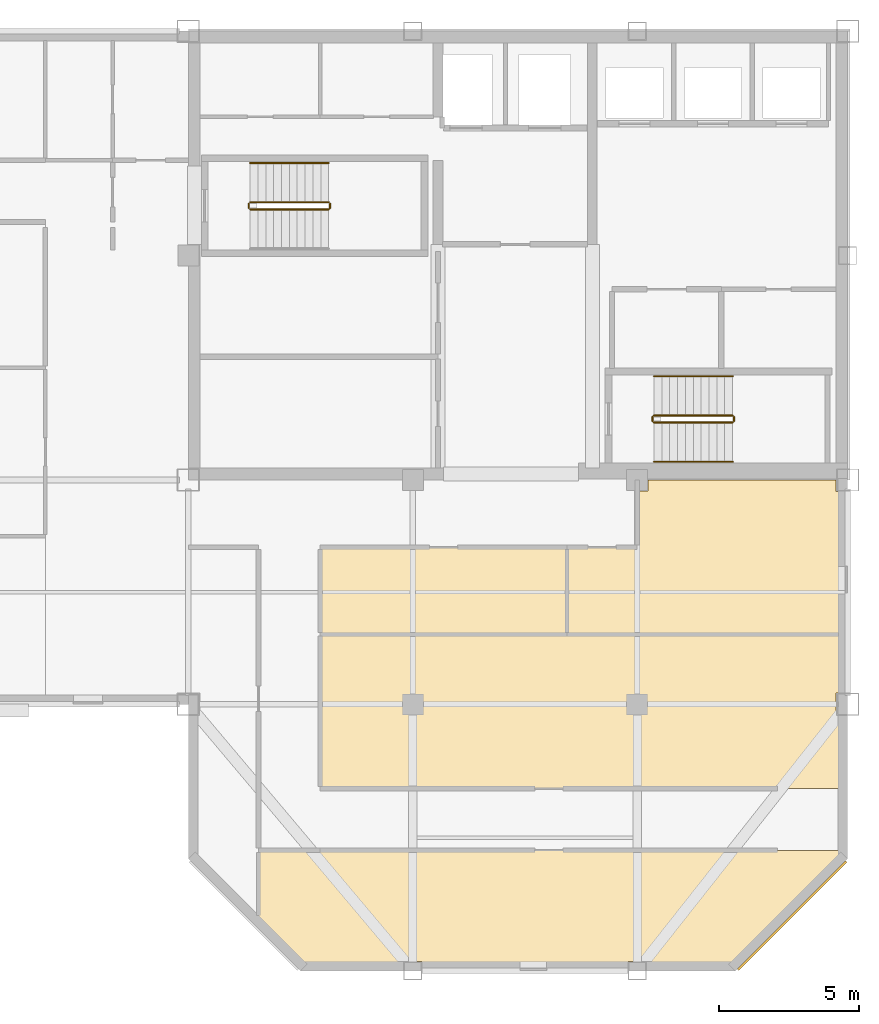
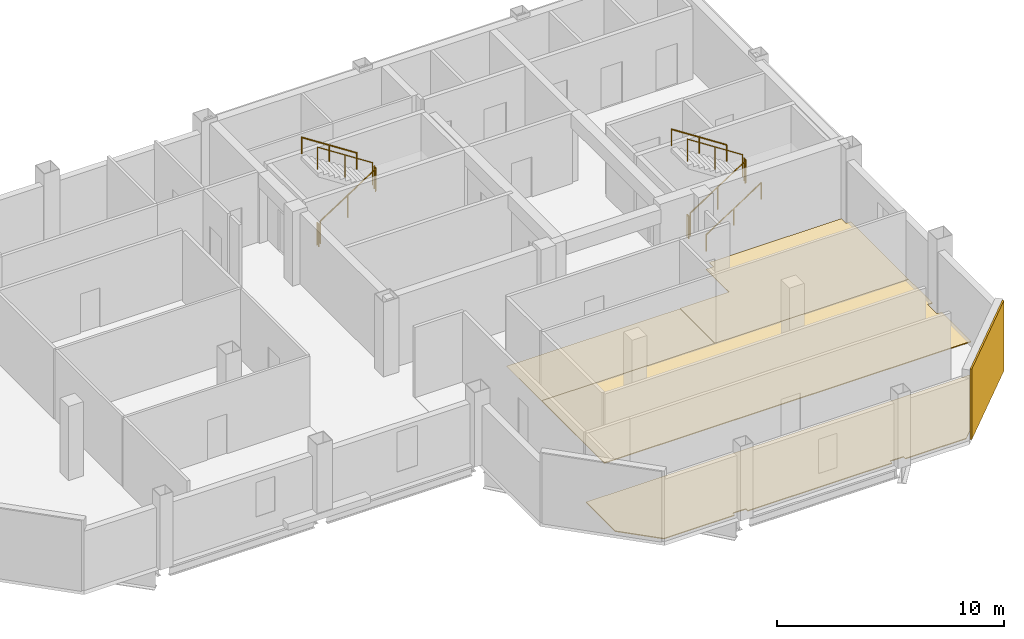
# One storey, part 6 of 7: 11 railings, 5 coverings.
"""IFC4 building model written with IfcOpenShell, lengths in metres."""

from ifc_helpers import new_model, si_unit, direction, frame, origin, origin_2d, place, context, subcontext, project, spatial, polyline, rectangle, circle, outline, extrude, material, layer, layer_set, type_object, element, save


model = new_model("IFC4")

# Units and contexts
model_context = context("Model", 3, precision=1e-05, world=origin(), true_north=direction((0.0, 1.0)))
body_context = subcontext(model_context, "Body", "Model", "MODEL_VIEW")
ifc_project = project(units=[si_unit("LENGTHUNIT", "METRE"), si_unit("AREAUNIT", "SQUARE_METRE"), si_unit("VOLUMEUNIT", "CUBIC_METRE"), si_unit("PLANEANGLEUNIT", "RADIAN"), si_unit("MASSUNIT", "GRAM", prefix="KILO")], contexts=[model_context])

# Site, building, storey
site_placement = place(None, origin())
site = spatial("IfcSite", under=ifc_project, at=site_placement, CompositionType="ELEMENT")
building_placement = place(site_placement, origin())
building = spatial("IfcBuilding", under=site, at=building_placement, Name="Qianrong Seaharbour Tower", CompositionType="ELEMENT")
storey_placement = place(building_placement, frame((0.0, 0.0, 347.199951171875)))
storey = spatial("IfcBuildingStorey", under=building, at=storey_placement, Name="L84", CompositionType="ELEMENT", Elevation=347.199951171875)

# Coverings
ifc_material_1 = material(Name="Unitised red brick cladding on Precast concrete C45/55", Category="masonry")
ifc_layer_1 = layer(ifc_material_1, 0.080078125)
ifc_layer_set_1 = layer_set([ifc_layer_1], Name="Unitised red brick cladding on Precast concrete C45/55")
covering_type_1 = type_object("IfcCoveringType", Name="COV-CLAD-RED-BRICK-80", PredefinedType="CLADDING", material=ifc_layer_set_1)
covering_1_placement = place(storey_placement, frame((62.0283203125, 20.4716796875, 0.0), z_axis=(0.0, 0.0, 1.0), x_axis=(-0.707106781187, -0.707106781187, 0.0)))
element("IfcCovering", 1, at=covering_1_placement, inside=storey, type_object=covering_type_1, Name="L84 Chamfer Corner Brick Cladding 07", PredefinedType="CLADDING", context=body_context, shape_type="SweptSolid", body=[
    extrude(rectangle(XDim=5.456787109375, YDim=0.080078125, at=origin_2d()), origin(), (0.0, 0.0, 1.0), 3.784912109375),
])
ifc_material_2 = material(Name="Acoustic modular carpet tile flooring")
ifc_layer_2 = layer(ifc_material_2, 0.02001953125)
ifc_layer_set_2 = layer_set([ifc_layer_2], Name="Acoustic modular carpet tile flooring")
covering_type_2 = type_object("IfcCoveringType", Name="COV-FLOOR-CARPET-20", PredefinedType="FLOORING", material=ifc_layer_set_2)
covering_2_placement = place(storey_placement, origin())
element("IfcCovering", 2, at=covering_2_placement, inside=storey, type_object=covering_type_2, Name="L84 Wellness Room 1 Finish Flooring", PredefinedType="FLOORING", context=body_context, shape_type="SweptSolid", body=[
    extrude(outline(polyline([(54.0, 33.60009765625), (54.0, 30.5), (45.199951171875, 30.5), (45.199951171875, 33.60009765625), (54.0, 33.60009765625)])), origin(), (0.0, 0.0, 1.0), 0.02001953125),
])
ifc_material_3 = material(Name="Calcium-sulphate raised access floor tile")
ifc_layer_3 = layer(ifc_material_3, 0.044921875)
ifc_layer_set_3 = layer_set([ifc_layer_3], Name="Calcium-sulphate raised access floor tile")
covering_type_3 = type_object("IfcCoveringType", Name="COV-FLOOR-RAISED-45", PredefinedType="FLOORING", material=ifc_layer_set_3)
covering_3_placement = place(storey_placement, origin())
element("IfcCovering", 3, at=covering_3_placement, inside=storey, type_object=covering_type_3, Name="L84 South Tip Open-Plan Office Finish Flooring", PredefinedType="FLOORING", context=body_context, shape_type="SweptSolid", body=[
    extrude(outline(polyline([(63.8349609375, 22.568359375), (59.931640625, 18.6650390625), (56.8349609375, 18.6650390625), (56.8349609375, 18.8349609375), (56.1650390625, 18.8349609375), (56.1650390625, 18.6650390625), (48.8349609375, 18.6650390625), (48.8349609375, 18.8349609375), (48.1650390625, 18.8349609375), (48.1650390625, 18.6650390625), (44.568359375, 18.6650390625), (43.0, 20.2333984375), (43.0, 22.800048828125), (63.8349609375, 22.800048828125), (63.8349609375, 22.568359375)])), origin(), (0.0, 0.0, 1.0), 0.045166015625),
])
covering_4_placement = place(storey_placement, origin())
element("IfcCovering", 4, at=covering_4_placement, inside=storey, type_object=covering_type_3, Name="L84 Operations Open-Plan Office Finish Flooring", PredefinedType="FLOORING", context=body_context, shape_type="SweptSolid", body=[
    extrude(outline(polyline([(63.8349609375, 30.5), (63.8349609375, 28.409912109375), (63.590087890625, 28.409912109375), (63.590087890625, 27.590087890625), (63.8349609375, 27.590087890625), (63.8349609375, 25.0), (45.199951171875, 25.0), (45.199951171875, 30.5), (63.8349609375, 30.5)])), origin(), (0.0, 0.0, 1.0), 0.045166015625),
])
covering_5_placement = place(storey_placement, origin())
element("IfcCovering", 5, at=covering_5_placement, inside=storey, type_object=covering_type_3, Name="L84 Health Director Office 2 Finish Flooring", PredefinedType="FLOORING", context=body_context, shape_type="SweptSolid", body=[
    extrude(outline(polyline([(56.5, 33.60009765625), (56.5, 35.614990234375), (56.885009765625, 35.614990234375), (56.885009765625, 36.0), (63.590087890625, 36.0), (63.590087890625, 35.590087890625), (63.8349609375, 35.590087890625), (63.8349609375, 30.5), (54.0, 30.5), (54.0, 33.60009765625), (56.5, 33.60009765625)])), origin(), (0.0, 0.0, 1.0), 0.045166015625),
])

# Railings
ifc_material_4 = material(Name="Galvanized painted steel SN400B stair guard", Category="steel")
railing_type_1 = type_object("IfcRailingType", Name="RAIL-STAIR-GUARD-1220", PredefinedType="GUARDRAIL", material=ifc_material_4)
railing_1_placement = place(storey_placement, frame((42.699951171875, 45.64990234375, 0.181884765625)))
element("IfcRailing", 6, at=railing_1_placement, inside=storey, type_object=railing_type_1, Name="L84 ST-1 stair guard 1", PredefinedType="GUARDRAIL", context=body_context, shape_type="SweptSolid", body=[
    extrude(circle(Radius=0.02392578125, at=origin_2d()), frame((0.0, 0.0, 1.19580078125), z_axis=(0.838705829183, 0.0, 0.544584733623), x_axis=(0.0, 1.0, 0.0)), (0.0, 0.0, 1.0), 3.338623046875),
    extrude(circle(Radius=0.02099609375, at=origin_2d()), origin(), (0.0, 0.0, 1.0), 1.171875),
    extrude(circle(Radius=0.02099609375, at=origin_2d()), frame((1.39990234375, 0.0, 0.9091796875)), (0.0, 0.0, 1.0), 1.171875),
    extrude(circle(Radius=0.02099609375, at=origin_2d()), frame((2.800048828125, 0.0, 1.818115234375)), (0.0, 0.0, 1.0), 1.171875),
])
railing_2_placement = place(storey_placement, frame((45.550048828125, 45.699951171875, 2.0)))
element("IfcRailing", 7, at=railing_2_placement, inside=storey, type_object=railing_type_1, Name="L84 ST-1 stair guard 2", PredefinedType="GUARDRAIL", context=body_context, shape_type="SweptSolid", body=[
    extrude(circle(Radius=0.02392578125, at=origin_2d()), frame((0.0, 0.0, 1.19580078125), z_axis=(0.0, 1.0, 0.0), x_axis=(-1.0, 0.0, 0.0)), (0.0, 0.0, 1.0), 0.150146484375),
    extrude(circle(Radius=0.02099609375, at=origin_2d()), origin(), (0.0, 0.0, 1.0), 1.171875),
    extrude(circle(Radius=0.02099609375, at=origin_2d()), frame((0.0, 0.150146484375, 0.0)), (0.0, 0.0, 1.0), 1.171875),
])
railing_3_placement = place(storey_placement, frame((45.5, 45.89990234375, 2.181884765625)))
element("IfcRailing", 8, at=railing_3_placement, inside=storey, type_object=railing_type_1, Name="L84 ST-1 stair guard 3", PredefinedType="GUARDRAIL", context=body_context, shape_type="SweptSolid", body=[
    extrude(circle(Radius=0.02392578125, at=origin_2d()), frame((0.0, 0.0, 1.19580078125), z_axis=(-0.838705829183, 0.0, 0.544584733623), x_axis=(0.0, -1.0, 0.0)), (0.0, 0.0, 1.0), 3.338623046875),
    extrude(circle(Radius=0.02099609375, at=origin_2d()), origin(), (0.0, 0.0, 1.0), 1.171875),
    extrude(circle(Radius=0.02099609375, at=origin_2d()), frame((-1.39990234375, 0.0, 0.9091796875)), (0.0, 0.0, 1.0), 1.171875),
    extrude(circle(Radius=0.02099609375, at=origin_2d()), frame((-2.800048828125, 0.0, 1.818115234375)), (0.0, 0.0, 1.0), 1.171875),
])
railing_4_placement = place(storey_placement, frame((42.64990234375, 45.699951171875, 0.0)))
element("IfcRailing", 9, at=railing_4_placement, inside=storey, type_object=railing_type_1, Name="L84 ST-1 stair guard 4", PredefinedType="GUARDRAIL", context=body_context, shape_type="SweptSolid", body=[
    extrude(circle(Radius=0.02392578125, at=origin_2d()), frame((0.0, 0.0, 1.19580078125), z_axis=(0.0, 1.0, 0.0), x_axis=(-1.0, 0.0, 0.0)), (0.0, 0.0, 1.0), 0.150146484375),
    extrude(circle(Radius=0.02099609375, at=origin_2d()), origin(), (0.0, 0.0, 1.0), 1.171875),
    extrude(circle(Radius=0.02099609375, at=origin_2d()), frame((0.0, 0.150146484375, 0.0)), (0.0, 0.0, 1.0), 1.171875),
])
railing_5_placement = place(storey_placement, frame((57.10009765625, 38.050048828125, 0.181884765625)))
element("IfcRailing", 10, at=railing_5_placement, inside=storey, type_object=railing_type_1, Name="L84 ST-2 stair guard 1", PredefinedType="GUARDRAIL", context=body_context, shape_type="SweptSolid", body=[
    extrude(circle(Radius=0.02392578125, at=origin_2d()), frame((0.0, 0.0, 1.19580078125), z_axis=(0.83868413941, 0.0, 0.544618136222), x_axis=(0.0, 1.0, 0.0)), (0.0, 0.0, 1.0), 3.33837890625),
    extrude(circle(Radius=0.02099609375, at=origin_2d()), origin(), (0.0, 0.0, 1.0), 1.171875),
    extrude(circle(Radius=0.02099609375, at=origin_2d()), frame((1.39990234375, 0.0, 0.9091796875)), (0.0, 0.0, 1.0), 1.171875),
    extrude(circle(Radius=0.02099609375, at=origin_2d()), frame((2.7998046875, 0.0, 1.818115234375)), (0.0, 0.0, 1.0), 1.171875),
])
railing_6_placement = place(storey_placement, frame((59.949951171875, 38.10009765625, 2.0)))
element("IfcRailing", 11, at=railing_6_placement, inside=storey, type_object=railing_type_1, Name="L84 ST-2 stair guard 2", PredefinedType="GUARDRAIL", context=body_context, shape_type="SweptSolid", body=[
    extrude(circle(Radius=0.02392578125, at=origin_2d()), frame((0.0, 0.0, 1.19580078125), z_axis=(0.0, 1.0, 0.0), x_axis=(-1.0, 0.0, 0.0)), (0.0, 0.0, 1.0), 0.14990234375),
    extrude(circle(Radius=0.02099609375, at=origin_2d()), origin(), (0.0, 0.0, 1.0), 1.171875),
    extrude(circle(Radius=0.02099609375, at=origin_2d()), frame((0.0, 0.14990234375, 0.0)), (0.0, 0.0, 1.0), 1.171875),
])
railing_7_placement = place(storey_placement, frame((59.89990234375, 38.300048828125, 2.181884765625)))
element("IfcRailing", 12, at=railing_7_placement, inside=storey, type_object=railing_type_1, Name="L84 ST-2 stair guard 3", PredefinedType="GUARDRAIL", context=body_context, shape_type="SweptSolid", body=[
    extrude(circle(Radius=0.02392578125, at=origin_2d()), frame((0.0, 0.0, 1.19580078125), z_axis=(-0.83868413941, 0.0, 0.544618136222), x_axis=(0.0, -1.0, 0.0)), (0.0, 0.0, 1.0), 3.33837890625),
    extrude(circle(Radius=0.02099609375, at=origin_2d()), origin(), (0.0, 0.0, 1.0), 1.171875),
    extrude(circle(Radius=0.02099609375, at=origin_2d()), frame((-1.39990234375, 0.0, 0.9091796875)), (0.0, 0.0, 1.0), 1.171875),
    extrude(circle(Radius=0.02099609375, at=origin_2d()), frame((-2.7998046875, 0.0, 1.818115234375)), (0.0, 0.0, 1.0), 1.171875),
])
railing_8_placement = place(storey_placement, frame((57.050048828125, 38.10009765625, 0.0)))
element("IfcRailing", 13, at=railing_8_placement, inside=storey, type_object=railing_type_1, Name="L84 ST-2 stair guard 4", PredefinedType="GUARDRAIL", context=body_context, shape_type="SweptSolid", body=[
    extrude(circle(Radius=0.02392578125, at=origin_2d()), frame((0.0, 0.0, 1.19580078125), z_axis=(0.0, 1.0, 0.0), x_axis=(-1.0, 0.0, 0.0)), (0.0, 0.0, 1.0), 0.14990234375),
    extrude(circle(Radius=0.02099609375, at=origin_2d()), origin(), (0.0, 0.0, 1.0), 1.171875),
    extrude(circle(Radius=0.02099609375, at=origin_2d()), frame((0.0, 0.14990234375, 0.0)), (0.0, 0.0, 1.0), 1.171875),
])
ifc_material_5 = material(Name="Stainless steel SUS316L continuous handrail", Category="steel")
railing_type_2 = type_object("IfcRailingType", Name="RAIL-STAIR-HANDRAIL-900", PredefinedType="HANDRAIL", material=ifc_material_5)
railing_9_placement = place(storey_placement, frame((45.5, 47.300048828125, 2.181884765625)))
element("IfcRailing", 14, at=railing_9_placement, inside=storey, type_object=railing_type_2, Name="L84 ST-1 stair handrail 2", PredefinedType="HANDRAIL", context=body_context, shape_type="SweptSolid", body=[
    extrude(circle(Radius=0.02392578125, at=origin_2d()), frame((0.0, 0.0, 0.8759765625), z_axis=(-0.838705829183, 0.0, 0.544584733623), x_axis=(0.0, -1.0, 0.0)), (0.0, 0.0, 1.0), 3.338623046875),
    extrude(circle(Radius=0.02099609375, at=origin_2d()), origin(), (0.0, 0.0, 1.0), 0.851806640625),
    extrude(circle(Radius=0.02099609375, at=origin_2d()), frame((-1.39990234375, 0.0, 0.9091796875)), (0.0, 0.0, 1.0), 0.851806640625),
    extrude(circle(Radius=0.02099609375, at=origin_2d()), frame((-2.800048828125, 0.0, 1.818115234375)), (0.0, 0.0, 1.0), 0.851806640625),
])
railing_10_placement = place(storey_placement, frame((57.10009765625, 36.64990234375, 0.181884765625)))
element("IfcRailing", 15, at=railing_10_placement, inside=storey, type_object=railing_type_2, Name="L84 ST-2 stair handrail 1", PredefinedType="HANDRAIL", context=body_context, shape_type="SweptSolid", body=[
    extrude(circle(Radius=0.02392578125, at=origin_2d()), frame((0.0, 0.0, 0.8759765625), z_axis=(0.83868413941, 0.0, 0.544618136222), x_axis=(0.0, 1.0, 0.0)), (0.0, 0.0, 1.0), 3.33837890625),
    extrude(circle(Radius=0.02099609375, at=origin_2d()), origin(), (0.0, 0.0, 1.0), 0.851806640625),
    extrude(circle(Radius=0.02099609375, at=origin_2d()), frame((1.39990234375, 0.0, 0.9091796875)), (0.0, 0.0, 1.0), 0.851806640625),
    extrude(circle(Radius=0.02099609375, at=origin_2d()), frame((2.7998046875, 0.0, 1.818115234375)), (0.0, 0.0, 1.0), 0.851806640625),
])
railing_11_placement = place(storey_placement, frame((59.89990234375, 39.699951171875, 2.181884765625)))
element("IfcRailing", 16, at=railing_11_placement, inside=storey, type_object=railing_type_2, Name="L84 ST-2 stair handrail 2", PredefinedType="HANDRAIL", context=body_context, shape_type="SweptSolid", body=[
    extrude(circle(Radius=0.02392578125, at=origin_2d()), frame((0.0, 0.0, 0.8759765625), z_axis=(-0.83868413941, 0.0, 0.544618136222), x_axis=(0.0, -1.0, 0.0)), (0.0, 0.0, 1.0), 3.33837890625),
    extrude(circle(Radius=0.02099609375, at=origin_2d()), origin(), (0.0, 0.0, 1.0), 0.851806640625),
    extrude(circle(Radius=0.02099609375, at=origin_2d()), frame((-1.39990234375, 0.0, 0.9091796875)), (0.0, 0.0, 1.0), 0.851806640625),
    extrude(circle(Radius=0.02099609375, at=origin_2d()), frame((-2.7998046875, 0.0, 1.818115234375)), (0.0, 0.0, 1.0), 0.851806640625),
])

save(model, "model.ifc")
